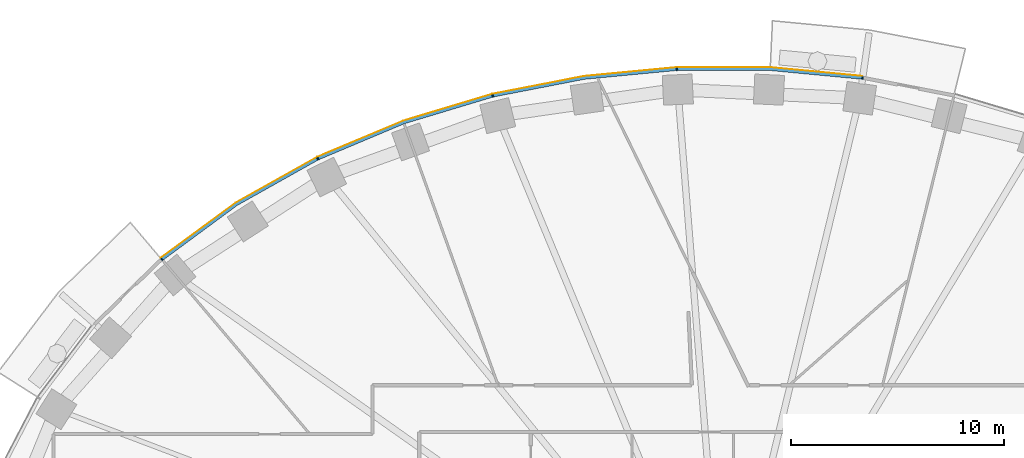
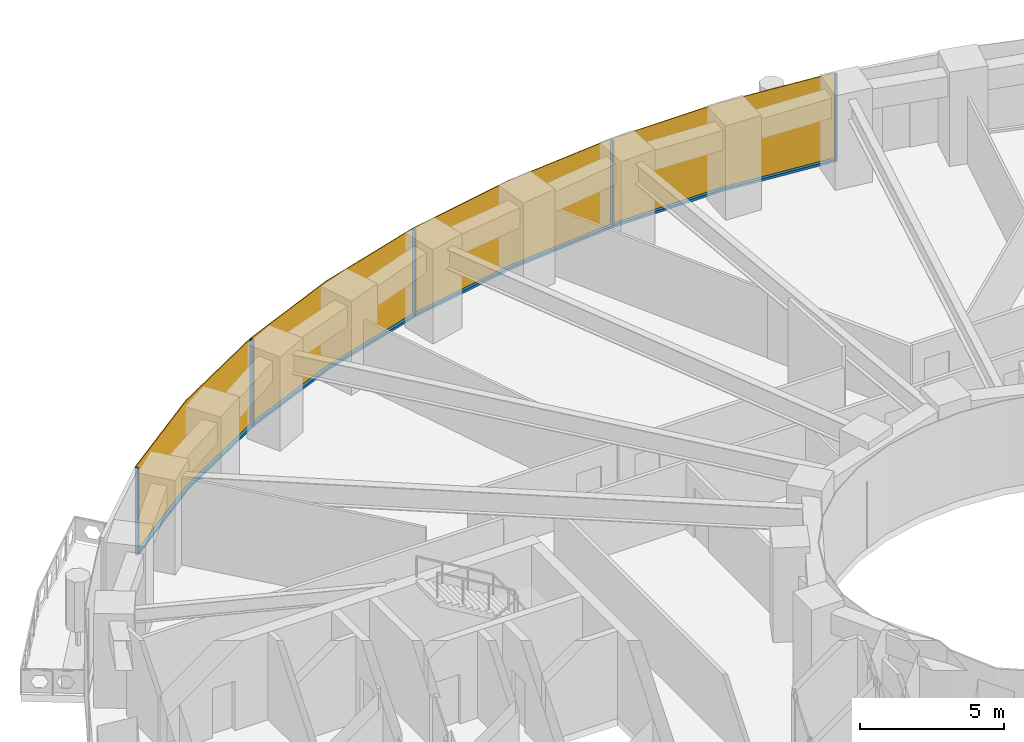
# One storey, part 11 of 16: 9 members, 1 curtain wall.
"""IFC4 building model written with IfcOpenShell, lengths in metres."""

from ifc_helpers import new_model, si_unit, direction, frame, origin, origin_2d, place, context, subcontext, project, spatial, polyline, rectangle, outline, extrude, material, layer, layer_set, material_profile, profile_set, type_object, element, aggregate, save


model = new_model("IFC4")

# Units and contexts
model_context = context("Model", 3, precision=1e-05, world=origin(), true_north=direction((0.0, 1.0)))
body_context = subcontext(model_context, "Body", "Model", "MODEL_VIEW")
ifc_project = project(units=[si_unit("LENGTHUNIT", "METRE"), si_unit("AREAUNIT", "SQUARE_METRE"), si_unit("VOLUMEUNIT", "CUBIC_METRE"), si_unit("PLANEANGLEUNIT", "RADIAN"), si_unit("MASSUNIT", "GRAM", prefix="KILO")], contexts=[model_context])

# Member
ifc_material_1 = material(Name="Aluminium 6063-T6 black anodised", Category="aluminium")
ifc_material_profile = material_profile(ifc_material_1, rectangle(XDim=0.1201171875, YDim=0.06005859375, at=origin_2d()), Name="120x60")
ifc_profile_set = profile_set([ifc_material_profile], Name="Aluminium 6063-T6 black anodised")
member_type_1 = type_object("IfcMemberType", Name="ENV-MULLION-A-120", PredefinedType="MULLION", material=ifc_profile_set)
site_placement = place(None, origin())
building_placement = place(site_placement, origin())
storey_placement = place(building_placement, frame((0.0, 0.0, 58.5)))
member_1_placement = place(storey_placement, frame((6.54638671875, 27.440185546875, 0.0), z_axis=(0.0, 0.0, 1.0), x_axis=(-0.143082012705, -0.989710835366, 0.0)))
member_1 = element("IfcMember", 1, at=member_1_placement, type_object=member_type_1, Name="Mullion A radial 11", PredefinedType="MULLION", context=body_context, shape_type="SweptSolid", body=[
    extrude(rectangle(XDim=0.1201171875, YDim=0.06005859375, at=origin_2d()), origin(), (0.0, 0.0, 1.0), 3.699951171875),
])

member_2_placement = place(storey_placement, frame((-2.188720703125, 27.856201171875, 0.0), z_axis=(0.0, 0.0, 1.0), x_axis=(0.047557873581, -0.998868484166, 0.0)))
member_2 = element("IfcMember", 2, at=member_2_placement, type_object=member_type_1, Name="Mullion A radial 13", PredefinedType="MULLION", context=body_context, shape_type="SweptSolid", body=[
    extrude(rectangle(XDim=0.1201171875, YDim=0.06005859375, at=origin_2d()), origin(), (0.0, 0.0, 1.0), 3.699951171875),
])

member_3_placement = place(storey_placement, frame((-10.84326171875, 26.60498046875, 0.0), z_axis=(0.0, 0.0, 1.0), x_axis=(0.239799081534, -0.970822538106, 0.0)))
member_3 = element("IfcMember", 3, at=member_3_placement, type_object=member_type_1, Name="Mullion A radial 15", PredefinedType="MULLION", context=body_context, shape_type="SweptSolid", body=[
    extrude(rectangle(XDim=0.1201171875, YDim=0.06005859375, at=origin_2d()), origin(), (0.0, 0.0, 1.0), 3.699951171875),
])

member_4_placement = place(storey_placement, frame((-19.06787109375, 23.6474609375, 0.0), z_axis=(0.0, 0.0, 1.0), x_axis=(0.439237769837, -0.898370848563, 0.0)))
member_4 = element("IfcMember", 4, at=member_4_placement, type_object=member_type_1, Name="Mullion A radial 17", PredefinedType="MULLION", context=body_context, shape_type="SweptSolid", body=[
    extrude(rectangle(XDim=0.1201171875, YDim=0.06005859375, at=origin_2d()), origin(), (0.0, 0.0, 1.0), 3.699951171875),
])

member_5_placement = place(storey_placement, frame((-26.403564453125, 18.9130859375, 0.0), z_axis=(0.0, 0.0, 1.0), x_axis=(0.646451313783, -0.762955240435, 0.0)))
member_5 = element("IfcMember", 5, at=member_5_placement, type_object=member_type_1, Name="Mullion A radial 19", PredefinedType="MULLION", context=body_context, shape_type="SweptSolid", body=[
    extrude(rectangle(XDim=0.1201171875, YDim=0.06005859375, at=origin_2d()), origin(), (0.0, 0.0, 1.0), 3.699951171875),
])

ifc_material_2 = material(Name="Aluminium 6063-T6 black anodised", Category="aluminium")
member_type_2 = type_object("IfcMemberType", Name="ENV-TRANSOM-A", PredefinedType="USERDEFINED", material=ifc_material_2)
member_6_placement = place(storey_placement, origin())
member_6 = element("IfcMember", 6, at=member_6_placement, type_object=member_type_2, Name="Transom A radial 11-13", ObjectType="TRANSOM", PredefinedType="USERDEFINED", context=body_context, shape_type="SweptSolid", body=[
    extrude(outline(polyline([(6.527099609375, 27.502197265625), (2.191650390625, 27.916015625), (-2.163818359375, 27.916015625), (-2.157958984375, 27.7958984375), (2.185791015625, 27.7958984375), (6.510009765625, 27.38330078125), (6.527099609375, 27.502197265625)])), origin(), (0.0, 0.0, 1.0), 0.10009765625),
])

member_7_placement = place(storey_placement, origin())
member_7 = element("IfcMember", 7, at=member_7_placement, type_object=member_type_2, Name="Transom A radial 13-15", ObjectType="TRANSOM", PredefinedType="USERDEFINED", context=body_context, shape_type="SweptSolid", body=[
    extrude(outline(polyline([(-2.219482421875, 27.913330078125), (-6.55517578125, 27.49951171875), (-10.830078125, 26.66845703125), (-10.80126953125, 26.552001953125), (-6.537841796875, 27.380615234375), (-2.2138671875, 27.793212890625), (-2.219482421875, 27.913330078125)])), origin(), (0.0, 0.0, 1.0), 0.10009765625),
])

member_8_placement = place(storey_placement, origin())
member_8 = element("IfcMember", 8, at=member_8_placement, type_object=member_type_2, Name="Transom A radial 15-17", ObjectType="TRANSOM", PredefinedType="USERDEFINED", context=body_context, shape_type="SweptSolid", body=[
    extrude(outline(polyline([(-10.884521484375, 26.655029296875), (-15.054443359375, 25.400146484375), (-19.068359375, 23.71240234375), (-19.015380859375, 23.604248046875), (-15.013916015625, 25.287109375), (-10.855712890625, 26.53857421875), (-10.884521484375, 26.655029296875)])), origin(), (0.0, 0.0, 1.0), 0.10009765625),
])

member_9_placement = place(storey_placement, origin())
member_9 = element("IfcMember", 9, at=member_9_placement, type_object=member_type_2, Name="Transom A radial 17-19", ObjectType="TRANSOM", PredefinedType="USERDEFINED", context=body_context, shape_type="SweptSolid", body=[
    extrude(outline(polyline([(-19.11865234375, 23.687744140625), (-22.9150390625, 21.556884765625), (-26.419921875, 18.975341796875), (-26.342041015625, 18.883544921875), (-22.85009765625, 21.455810546875), (-19.06591796875, 23.57958984375), (-19.11865234375, 23.687744140625)])), origin(), (0.0, 0.0, 1.0), 0.10009765625),
])

# Site, building, storey
site = spatial("IfcSite", under=ifc_project, at=site_placement, CompositionType="ELEMENT")
building = spatial("IfcBuilding", under=site, at=building_placement, Name="Noorbagh Ring Tower", CompositionType="ELEMENT")
storey = spatial("IfcBuildingStorey", under=building, at=storey_placement, Name="L12", CompositionType="ELEMENT", Elevation=58.5)

# Curtain wall
ifc_material_3 = material(Name="Glass dark tinted laminated", Category="glass")
ifc_layer = layer(ifc_material_3, 0.031982421875)
ifc_layer_set = layer_set([ifc_layer], Name="Glass dark tinted laminated")
curtain_wall_type = type_object("IfcCurtainWallType", Name="ENV-CW-A", PredefinedType="NOTDEFINED", material=ifc_layer_set)
curtain_wall_placement = place(storey_placement, origin())
curtain_wall = element("IfcCurtainWall", 10, at=curtain_wall_placement, inside=storey, type_object=curtain_wall_type, Name="Curtain wall A R11", PredefinedType="NOTDEFINED", context=body_context, shape_type="SweptSolid", body=[
    extrude(outline(polyline([(6.539794921875, 27.533203125), (2.193115234375, 27.947998046875), (-2.193115234375, 27.947998046875), (-6.559814453125, 27.53125), (-10.865234375, 26.6943359375), (-15.065185546875, 25.430419921875), (-19.108154296875, 23.730224609375), (-22.9326171875, 21.583740234375), (-26.447021484375, 18.9951171875), (-26.42626953125, 18.970703125), (-22.9150390625, 21.556884765625), (-19.093994140625, 23.701416015625), (-15.054443359375, 25.400146484375), (-10.857666015625, 26.6630859375), (-6.55517578125, 27.49951171875), (-2.191650390625, 27.916015625), (2.191650390625, 27.916015625), (6.53515625, 27.50146484375), (6.539794921875, 27.533203125)])), origin(), (0.0, 0.0, 1.0), 3.699951171875),
])

aggregate(curtain_wall, [member_1, member_2, member_3, member_4, member_5, member_6, member_7, member_8, member_9])

save(model, "model.ifc")
